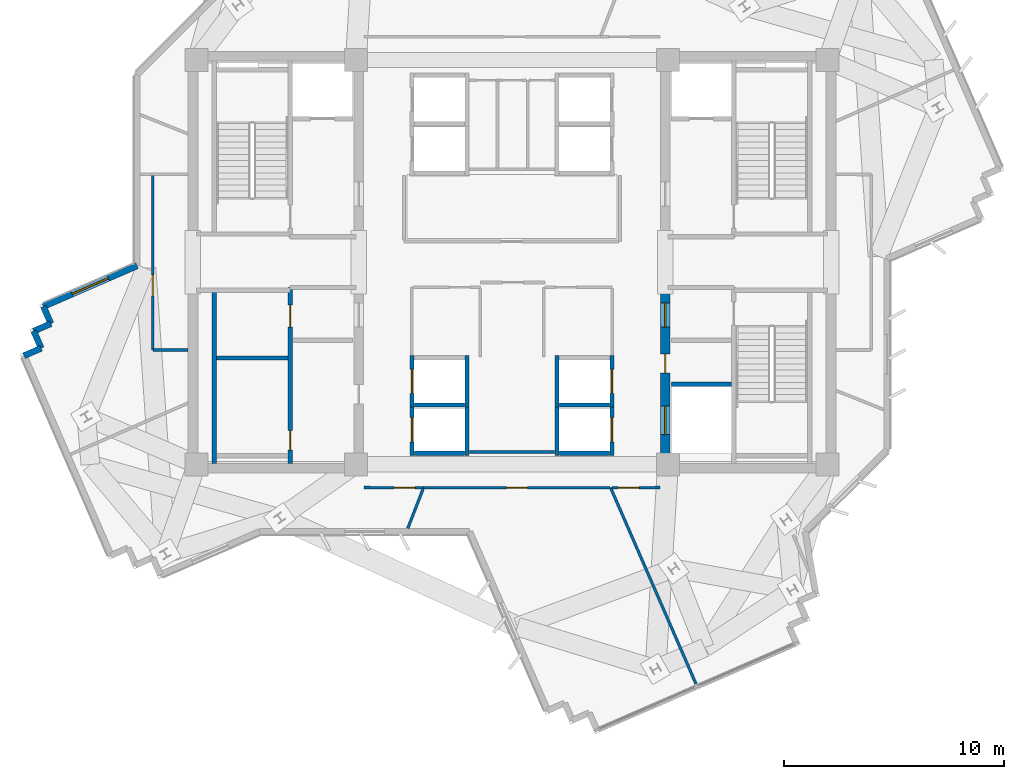
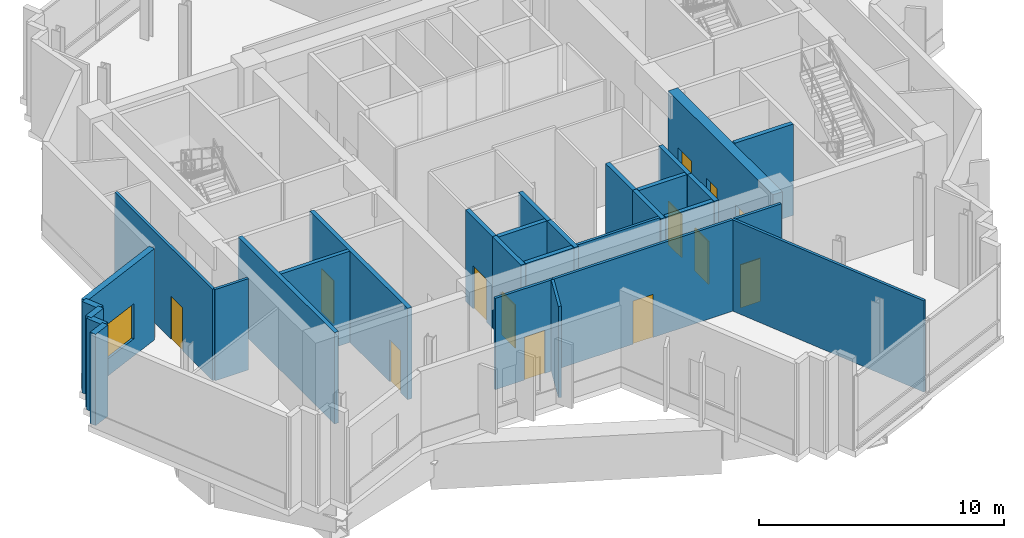
# One storey, part 5 of 11: 30 walls, 13 doors, 1 window, 14 openings.
"""IFC4 building model written with IfcOpenShell, lengths in metres."""

from ifc_helpers import new_model, si_unit, direction, frame, frame_2d, origin, place, context, subcontext, project, spatial, rectangle, extrude, source, transform, mapped, material, layer, layer_set, type_object, element, fill, save


model = new_model("IFC4")

# Units and contexts
model_context = context("Model", 3, precision=1e-05, world=origin(), true_north=direction((0.0, 1.0)))
body_context = subcontext(model_context, "Body", "Model", "MODEL_VIEW")
ifc_project = project(units=[si_unit("LENGTHUNIT", "METRE"), si_unit("AREAUNIT", "SQUARE_METRE"), si_unit("VOLUMEUNIT", "CUBIC_METRE"), si_unit("PLANEANGLEUNIT", "RADIAN"), si_unit("MASSUNIT", "GRAM", prefix="KILO")], contexts=[model_context])

# Site, building, storey
site_placement = place(None, origin())
site = spatial("IfcSite", under=ifc_project, at=site_placement, CompositionType="ELEMENT")
building_placement = place(site_placement, origin())
building = spatial("IfcBuilding", under=site, at=building_placement, Name="Zahravan Cultural Tower", CompositionType="ELEMENT")
storey_placement = place(building_placement, frame((0.0, 0.0, 234.300048828125)))
storey = spatial("IfcBuildingStorey", under=building, at=storey_placement, Name="L55", CompositionType="ELEMENT", Elevation=234.300048828125)

# Wall, openings, doors
ifc_material_1 = material(Name="Concrete C50/60", Category="concrete")
ifc_layer_1 = layer(ifc_material_1, 0.449951171875)
ifc_layer_set_1 = layer_set([ifc_layer_1], Name="Concrete C50/60")
wall_type_1 = type_object("IfcWallType", Name="CW-SHEAR-450-C50", PredefinedType="SHEAR", material=ifc_layer_set_1)
wall_1_placement = place(storey_placement, frame((42.97509765625, 17.39990234375, 0.0), z_axis=(0.0, 0.0, 1.0), x_axis=(0.0, 1.0, 0.0)))
wall_1 = element("IfcWall", 1, at=wall_1_placement, inside=storey, type_object=wall_type_1, Name="L55 Core Shear Wall CW-E-WS-L55", PredefinedType="SHEAR", context=body_context, shape_type="SweptSolid", body=[
    extrude(rectangle(XDim=8.550048828125, YDim=0.449951171875, at=frame_2d((4.27490234375, 0.0))), origin(), (0.0, 0.0, 1.0), 4.550048828125),
])
opening_1_placement = place(wall_1_placement, frame((6.64990234375, 0.0, 0.0)))
opening_1 = element("IfcOpeningElement", 2, at=opening_1_placement, cuts=wall_1, Name="Opening D-L55-09", PredefinedType="OPENING", context=body_context, shape_type="SweptSolid", body=[
    extrude(rectangle(XDim=1.10009765625, YDim=2.199951171875, at=frame_2d((0.550048828125, 1.10009765625))), frame((0.0, 0.23486328125, 0.0), z_axis=(0.0, -1.0, 0.0), x_axis=(1.0, 0.0, 0.0)), (0.0, 0.0, 1.0), 0.469970703125),
])
opening_2_placement = place(wall_1_placement, frame((1.75, 0.0, 0.0)))
opening_2 = element("IfcOpeningElement", 3, at=opening_2_placement, cuts=wall_1, Name="Opening LD-L55-03", PredefinedType="OPENING", context=body_context, shape_type="SweptSolid", body=[
    extrude(rectangle(XDim=1.300048828125, YDim=2.199951171875, at=frame_2d((0.64990234375, 1.10009765625))), frame((0.0, 0.23486328125, 0.0), z_axis=(0.0, -1.0, 0.0), x_axis=(1.0, 0.0, 0.0)), (0.0, 0.0, 1.0), 0.469970703125),
])
opening_3_placement = place(wall_1_placement, frame((4.550048828125, 0.0, 0.0)))
opening_3 = element("IfcOpeningElement", 4, at=opening_3_placement, cuts=wall_1, Name="Opening D-L55-11", PredefinedType="OPENING", context=body_context, shape_type="SweptSolid", body=[
    extrude(rectangle(XDim=0.8798828125, YDim=2.10009765625, at=frame_2d((0.43994140625, 1.050048828125))), frame((0.0, 0.23486328125, 0.0), z_axis=(0.0, -1.0, 0.0), x_axis=(1.0, 0.0, 0.0)), (0.0, 0.0, 1.0), 0.469970703125),
])
ifc_material_2 = material(Name="Steel ASTM A572 Grade 50", Category="steel")
door_type_1 = type_object("IfcDoorType", Name="DR-LOBBY-1100", OperationType="NOTDEFINED", PredefinedType="DOOR", material=ifc_material_2)
shared_shape_1 = source(origin(), body_context, "Body", "SweptSolid", [
    extrude(rectangle(XDim=1.10009765625, YDim=2.199951171875, at=frame_2d((0.550048828125, 1.10009765625))), frame((0.0, 0.02490234375, 0.0), z_axis=(0.0, -1.0, 0.0), x_axis=(1.0, 0.0, 0.0)), (0.0, 0.0, 1.0), 0.050048828125),
])
door_1_placement = place(opening_1_placement, origin())
door_1 = element("IfcDoor", 5, at=door_1_placement, inside=storey, type_object=door_type_1, Name="L55 Door D-L55-09", OperationType="SINGLE_SWING_LEFT", OverallHeight=2.199951171875, OverallWidth=1.10009765625, PredefinedType="DOOR", context=body_context, shape_type="MappedRepresentation", body=[
    mapped(shared_shape_1, transform((0.0, 0.0, 0.0), x_axis=(1.0, 0.0, 0.0), y_axis=(0.0, 1.0, 0.0), z_axis=(0.0, 0.0, 1.0), scale=1.0)),
])
fill(opening_1, door_1)
door_type_2 = type_object("IfcDoorType", Name="DR-LIFT-1300", OperationType="DOUBLE_DOOR_SLIDING", PredefinedType="DOOR", material=ifc_material_2)
shared_shape_2 = source(origin(), body_context, "Body", "SweptSolid", [
    extrude(rectangle(XDim=1.300048828125, YDim=2.199951171875, at=frame_2d((0.64990234375, 1.10009765625))), frame((0.0, 0.02490234375, 0.0), z_axis=(0.0, -1.0, 0.0), x_axis=(1.0, 0.0, 0.0)), (0.0, 0.0, 1.0), 0.050048828125),
])
door_2_placement = place(opening_2_placement, origin())
door_2 = element("IfcDoor", 6, at=door_2_placement, inside=storey, type_object=door_type_2, Name="L55 Door LD-L55-03", OperationType="DOUBLE_DOOR_SLIDING", OverallHeight=2.199951171875, OverallWidth=1.300048828125, PredefinedType="DOOR", context=body_context, shape_type="MappedRepresentation", body=[
    mapped(shared_shape_2, transform((0.0, 0.0, 0.0), x_axis=(1.0, 0.0, 0.0), y_axis=(0.0, 1.0, 0.0), z_axis=(0.0, 0.0, 1.0), scale=1.0)),
])
fill(opening_2, door_2)
door_type_3 = type_object("IfcDoorType", Name="DR-SVC-880", OperationType="NOTDEFINED", PredefinedType="DOOR", material=ifc_material_2)
shared_shape_3 = source(origin(), body_context, "Body", "SweptSolid", [
    extrude(rectangle(XDim=0.8798828125, YDim=2.10009765625, at=frame_2d((0.43994140625, 1.050048828125))), frame((0.0, 0.02490234375, 0.0), z_axis=(0.0, -1.0, 0.0), x_axis=(1.0, 0.0, 0.0)), (0.0, 0.0, 1.0), 0.050048828125),
])
door_3_placement = place(opening_3_placement, origin())
door_3 = element("IfcDoor", 7, at=door_3_placement, inside=storey, type_object=door_type_3, Name="L55 Door D-L55-11", OperationType="SINGLE_SWING_LEFT", OverallHeight=2.10009765625, OverallWidth=0.8798828125, PredefinedType="DOOR", context=body_context, shape_type="MappedRepresentation", body=[
    mapped(shared_shape_3, transform((0.0, 0.0, 0.0), x_axis=(1.0, 0.0, 0.0), y_axis=(0.0, 1.0, 0.0), z_axis=(0.0, 0.0, 1.0), scale=1.0)),
])
fill(opening_3, door_3)

# Wall, opening, window
ifc_material_3 = material(Name="Precast concrete C40/50", Category="concrete")
ifc_layer_2 = layer(ifc_material_3, 0.280029296875)
ifc_layer_set_2 = layer_set([ifc_layer_2], Name="Precast concrete C40/50")
wall_type_2 = type_object("IfcWallType", Name="EW-TC-280", PredefinedType="SOLIDWALL", material=ifc_layer_set_2)
wall_2_placement = place(storey_placement, frame((14.673583984375, 24.98291015625, 0.0), z_axis=(0.0, 0.0, 1.0), x_axis=(0.916951557096, 0.398998548793, 0.0)))
wall_2 = element("IfcWall", 8, at=wall_2_placement, inside=storey, type_object=wall_type_2, Name="L55 Exterior Masonry Frame Wall 35", PredefinedType="SOLIDWALL", context=body_context, shape_type="SweptSolid", body=[
    extrude(rectangle(XDim=4.65283203125, YDim=0.280029296875, at=frame_2d((2.326416015625, 0.0))), origin(), (0.0, 0.0, 1.0), 4.550048828125),
])
opening_4_placement = place(wall_2_placement, frame((1.426025390625, 0.0, 0.85009765625)))
opening_4 = element("IfcOpeningElement", 9, at=opening_4_placement, cuts=wall_2, Name="Opening WN-02", PredefinedType="OPENING", context=body_context, shape_type="SweptSolid", body=[
    extrude(rectangle(XDim=1.800048828125, YDim=1.75, at=frame_2d((0.89990234375, 0.875))), frame((0.0, 0.14990234375, 0.0), z_axis=(0.0, -1.0, 0.0), x_axis=(1.0, 0.0, 0.0)), (0.0, 0.0, 1.0), 0.300048828125),
])
ifc_material_4 = material(Name="Low-E solar-control double glazing", Category="glass")
window_type = type_object("IfcWindowType", Name="WN-REC-1800X1750", PartitioningType="DOUBLE_PANEL_VERTICAL", PredefinedType="WINDOW", material=ifc_material_4)
shared_shape_4 = source(origin(), body_context, "Body", "SweptSolid", [
    extrude(rectangle(XDim=1.800048828125, YDim=1.75, at=frame_2d((0.89990234375, 0.875))), frame((0.0, 0.030029296875, 0.0), z_axis=(0.0, -1.0, 0.0), x_axis=(1.0, 0.0, 0.0)), (0.0, 0.0, 1.0), 0.06005859375),
])
window_placement = place(opening_4_placement, origin())
window = element("IfcWindow", 10, at=window_placement, inside=storey, type_object=window_type, Name="L55 Recessed Solar Window 08", OverallHeight=1.75, OverallWidth=1.800048828125, PartitioningType="DOUBLE_PANEL_VERTICAL", PredefinedType="WINDOW", context=body_context, shape_type="MappedRepresentation", body=[
    mapped(shared_shape_4, transform((0.0, 0.0, 0.0), x_axis=(1.0, 0.0, 0.0), y_axis=(0.0, 1.0, 0.0), z_axis=(0.0, 0.0, 1.0), scale=1.0)),
])
fill(opening_4, window)

# Wall, opening, door
ifc_material_5 = material(Name="Gypsum plasterboard partition")
ifc_layer_3 = layer(ifc_material_5, 0.125)
ifc_layer_set_3 = layer_set([ifc_layer_3], Name="Gypsum plasterboard partition")
wall_type_3 = type_object("IfcWallType", Name="W-PART-125", PredefinedType="PARTITIONING", material=ifc_layer_set_3)
wall_3_placement = place(storey_placement, frame((19.65087890625, 30.9990234375, 0.0), z_axis=(0.0, 0.0, 1.0), x_axis=(3.0539946e-05, -0.999999999534, 0.0)))
wall_3 = element("IfcWall", 11, at=wall_3_placement, inside=storey, type_object=wall_type_3, Name="L55 Interior Wall 079", PredefinedType="PARTITIONING", context=body_context, shape_type="SweptSolid", body=[
    extrude(rectangle(XDim=7.994140625, YDim=0.125, at=frame_2d((3.9970703125, 0.0))), origin(), (0.0, 0.0, 1.0), 4.550048828125),
])
opening_5_placement = place(wall_3_placement, frame((4.57861328125, 0.0, 0.0)))
opening_5 = element("IfcOpeningElement", 12, at=opening_5_placement, cuts=wall_3, Name="Opening D-L55-21", PredefinedType="OPENING", context=body_context, shape_type="SweptSolid", body=[
    extrude(rectangle(XDim=0.949951171875, YDim=2.14990234375, at=frame_2d((0.47509765625, 1.074951171875))), frame((0.0, 0.072509765625, 0.0), z_axis=(0.0, -1.0, 0.0), x_axis=(1.0, 0.0, 0.0)), (0.0, 0.0, 1.0), 0.14501953125),
])
ifc_material_6 = material(Name="Anodised bronze-aluminium mullion", Category="aluminium")
door_type_4 = type_object("IfcDoorType", Name="DR-ROOM-950", OperationType="NOTDEFINED", PredefinedType="DOOR", material=ifc_material_6)
shared_shape_5 = source(origin(), body_context, "Body", "SweptSolid", [
    extrude(rectangle(XDim=0.949951171875, YDim=2.14990234375, at=frame_2d((0.47509765625, 1.074951171875))), frame((0.0, 0.02490234375, 0.0), z_axis=(0.0, -1.0, 0.0), x_axis=(1.0, 0.0, 0.0)), (0.0, 0.0, 1.0), 0.050048828125),
])
door_4_placement = place(opening_5_placement, origin())
door_4 = element("IfcDoor", 13, at=door_4_placement, inside=storey, type_object=door_type_4, Name="L55 Door D-L55-21", OperationType="SINGLE_SWING_LEFT", OverallHeight=2.14990234375, OverallWidth=0.949951171875, PredefinedType="DOOR", context=body_context, shape_type="MappedRepresentation", body=[
    mapped(shared_shape_5, transform((0.0, 0.0, 0.0), x_axis=(1.0, 0.0, 0.0), y_axis=(0.0, 1.0, 0.0), z_axis=(0.0, 0.0, 1.0), scale=1.0)),
])
fill(opening_5, door_4)

wall_4_placement = place(storey_placement, frame((29.25341796875, 16.7412109375, 0.0), z_axis=(0.0, 0.0, 1.0), x_axis=(0.999999899509, -0.000448309827, 0.0)))
wall_4 = element("IfcWall", 14, at=wall_4_placement, inside=storey, type_object=wall_type_3, Name="L55 Interior Wall 086", PredefinedType="PARTITIONING", context=body_context, shape_type="SweptSolid", body=[
    extrude(rectangle(XDim=2.722900390625, YDim=0.125, at=frame_2d((1.361328125, 0.0))), origin(), (0.0, 0.0, 1.0), 4.550048828125),
])
opening_6_placement = place(wall_4_placement, frame((1.383056640625, 0.0, 0.0)))
opening_6 = element("IfcOpeningElement", 15, at=opening_6_placement, cuts=wall_4, Name="Opening D-L55-22", PredefinedType="OPENING", context=body_context, shape_type="SweptSolid", body=[
    extrude(rectangle(XDim=0.949951171875, YDim=2.14990234375, at=frame_2d((0.47509765625, 1.074951171875))), frame((0.0, 0.072509765625, 0.0), z_axis=(0.0, -1.0, 0.0), x_axis=(1.0, 0.0, 0.0)), (0.0, 0.0, 1.0), 0.14501953125),
])
door_5_placement = place(opening_6_placement, origin())
door_5 = element("IfcDoor", 16, at=door_5_placement, inside=storey, type_object=door_type_4, Name="L55 Door D-L55-22", OperationType="SINGLE_SWING_RIGHT", OverallHeight=2.14990234375, OverallWidth=0.949951171875, PredefinedType="DOOR", context=body_context, shape_type="MappedRepresentation", body=[
    mapped(shared_shape_5, transform((0.0, 0.0, 0.0), x_axis=(1.0, 0.0, 0.0), y_axis=(0.0, 1.0, 0.0), z_axis=(0.0, 0.0, 1.0), scale=1.0)),
])
fill(opening_6, door_5)

wall_5_placement = place(storey_placement, frame((40.560302734375, 16.739990234375, 0.0), z_axis=(0.0, 0.0, 1.0), x_axis=(0.999999844124, 0.000558347205, 0.0)))
wall_5 = element("IfcWall", 17, at=wall_5_placement, inside=storey, type_object=wall_type_3, Name="L55 Interior Wall 089", PredefinedType="PARTITIONING", context=body_context, shape_type="SweptSolid", body=[
    extrude(rectangle(XDim=2.186279296875, YDim=0.125, at=frame_2d((1.09326171875, 0.0))), origin(), (0.0, 0.0, 1.0), 4.550048828125),
])
opening_7_placement = place(wall_5_placement, frame((0.27197265625, 0.0, 0.0)))
opening_7 = element("IfcOpeningElement", 18, at=opening_7_placement, cuts=wall_5, Name="Opening D-L55-25", PredefinedType="OPENING", context=body_context, shape_type="SweptSolid", body=[
    extrude(rectangle(XDim=0.949951171875, YDim=2.14990234375, at=frame_2d((0.47509765625, 1.074951171875))), frame((0.0, 0.072509765625, 0.0), z_axis=(0.0, -1.0, 0.0), x_axis=(1.0, 0.0, 0.0)), (0.0, 0.0, 1.0), 0.14501953125),
])
door_6_placement = place(opening_7_placement, origin())
door_6 = element("IfcDoor", 19, at=door_6_placement, inside=storey, type_object=door_type_4, Name="L55 Door D-L55-25", OperationType="SINGLE_SWING_LEFT", OverallHeight=2.14990234375, OverallWidth=0.949951171875, PredefinedType="DOOR", context=body_context, shape_type="MappedRepresentation", body=[
    mapped(shared_shape_5, transform((0.0, 0.0, 0.0), x_axis=(1.0, 0.0, 0.0), y_axis=(0.0, 1.0, 0.0), z_axis=(0.0, 0.0, 1.0), scale=1.0)),
])
fill(opening_7, door_6)

wall_6_placement = place(storey_placement, frame((31.976318359375, 16.739990234375, 0.0), z_axis=(0.0, 0.0, 1.0), x_axis=(1.0, 0.0, 0.0)))
wall_6 = element("IfcWall", 20, at=wall_6_placement, inside=storey, type_object=wall_type_3, Name="L55 Interior Wall 091", PredefinedType="PARTITIONING", context=body_context, shape_type="SweptSolid", body=[
    extrude(rectangle(XDim=8.48828125, YDim=0.125, at=frame_2d((4.244140625, 0.0))), origin(), (0.0, 0.0, 1.0), 4.550048828125),
])
opening_8_placement = place(wall_6_placement, frame((3.76904296875, 0.0, 0.0)))
opening_8 = element("IfcOpeningElement", 21, at=opening_8_placement, cuts=wall_6, Name="Opening D-L55-24", PredefinedType="OPENING", context=body_context, shape_type="SweptSolid", body=[
    extrude(rectangle(XDim=0.949951171875, YDim=2.14990234375, at=frame_2d((0.47509765625, 1.074951171875))), frame((0.0, 0.072509765625, 0.0), z_axis=(0.0, -1.0, 0.0), x_axis=(1.0, 0.0, 0.0)), (0.0, 0.0, 1.0), 0.14501953125),
])
door_7_placement = place(opening_8_placement, origin())
door_7 = element("IfcDoor", 22, at=door_7_placement, inside=storey, type_object=door_type_4, Name="L55 Door D-L55-24", OperationType="SINGLE_SWING_RIGHT", OverallHeight=2.14990234375, OverallWidth=0.949951171875, PredefinedType="DOOR", context=body_context, shape_type="MappedRepresentation", body=[
    mapped(shared_shape_5, transform((0.0, 0.0, 0.0), x_axis=(1.0, 0.0, 0.0), y_axis=(0.0, 1.0, 0.0), z_axis=(0.0, 0.0, 1.0), scale=1.0)),
])
fill(opening_8, door_7)

# Wall, openings, doors
ifc_material_7 = material(Name="Concrete C45/55", Category="concrete")
ifc_layer_4 = layer(ifc_material_7, 0.199951171875)
ifc_layer_set_4 = layer_set([ifc_layer_4], Name="Concrete C45/55")
wall_type_4 = type_object("IfcWallType", Name="W-SHAFT-200", PredefinedType="SOLIDWALL", material=ifc_layer_set_4)
wall_7_placement = place(storey_placement, frame((25.89990234375, 17.85009765625, 0.0), z_axis=(0.0, 0.0, 1.0), x_axis=(0.0, 1.0, 0.0)))
wall_7 = element("IfcWall", 23, at=wall_7_placement, inside=storey, type_object=wall_type_4, Name="L55 Interior Wall 005", PredefinedType="SOLIDWALL", context=body_context, shape_type="SweptSolid", body=[
    extrude(rectangle(XDim=8.0, YDim=0.199951171875, at=frame_2d((4.0, 0.0))), origin(), (0.0, 0.0, 1.0), 4.550048828125),
])
opening_9_placement = place(wall_7_placement, frame((6.199951171875, 0.0, 0.0)))
opening_9 = element("IfcOpeningElement", 24, at=opening_9_placement, cuts=wall_7, Name="Opening D-L55-04", PredefinedType="OPENING", context=body_context, shape_type="SweptSolid", body=[
    extrude(rectangle(XDim=1.0, YDim=2.14990234375, at=frame_2d((0.5, 1.074951171875))), frame((0.0, 0.10986328125, 0.0), z_axis=(0.0, -1.0, 0.0), x_axis=(1.0, 0.0, 0.0)), (0.0, 0.0, 1.0), 0.219970703125),
])
opening_10_placement = place(wall_7_placement, frame((0.60009765625, 0.0, 0.0)))
opening_10 = element("IfcOpeningElement", 25, at=opening_10_placement, cuts=wall_7, Name="Opening D-L55-05", PredefinedType="OPENING", context=body_context, shape_type="SweptSolid", body=[
    extrude(rectangle(XDim=0.8798828125, YDim=2.10009765625, at=frame_2d((0.43994140625, 1.050048828125))), frame((0.0, 0.10986328125, 0.0), z_axis=(0.0, -1.0, 0.0), x_axis=(1.0, 0.0, 0.0)), (0.0, 0.0, 1.0), 0.219970703125),
])
door_8_placement = place(opening_10_placement, origin())
door_8 = element("IfcDoor", 26, at=door_8_placement, inside=storey, type_object=door_type_3, Name="L55 Door D-L55-05", OperationType="SINGLE_SWING_LEFT", OverallHeight=2.10009765625, OverallWidth=0.8798828125, PredefinedType="DOOR", context=body_context, shape_type="MappedRepresentation", body=[
    mapped(shared_shape_3, transform((0.0, 0.0, 0.0), x_axis=(1.0, 0.0, 0.0), y_axis=(0.0, 1.0, 0.0), z_axis=(0.0, 0.0, 1.0), scale=1.0)),
])
fill(opening_10, door_8)
door_type_5 = type_object("IfcDoorType", Name="DR-COMP-1000", OperationType="NOTDEFINED", PredefinedType="DOOR", material=ifc_material_2)
shared_shape_6 = source(origin(), body_context, "Body", "SweptSolid", [
    extrude(rectangle(XDim=1.0, YDim=2.14990234375, at=frame_2d((0.5, 1.074951171875))), frame((0.0, 0.02490234375, 0.0), z_axis=(0.0, -1.0, 0.0), x_axis=(1.0, 0.0, 0.0)), (0.0, 0.0, 1.0), 0.050048828125),
])
door_9_placement = place(opening_9_placement, origin())
door_9 = element("IfcDoor", 27, at=door_9_placement, inside=storey, type_object=door_type_5, Name="L55 Door D-L55-04", OperationType="SINGLE_SWING_RIGHT", OverallHeight=2.14990234375, OverallWidth=1.0, PredefinedType="DOOR", context=body_context, shape_type="MappedRepresentation", body=[
    mapped(shared_shape_6, transform((0.0, 0.0, 0.0), x_axis=(1.0, 0.0, 0.0), y_axis=(0.0, 1.0, 0.0), z_axis=(0.0, 0.0, 1.0), scale=1.0)),
])
fill(opening_9, door_9)

# Wall, opening, door
wall_8_placement = place(storey_placement, frame((31.449951171875, 20.39990234375, 0.0), z_axis=(0.0, 0.0, 1.0), x_axis=(0.0, 1.0, 0.0)))
wall_8 = element("IfcWall", 28, at=wall_8_placement, inside=storey, type_object=wall_type_4, Name="L55 Interior Wall 041", PredefinedType="SOLIDWALL", context=body_context, shape_type="SweptSolid", body=[
    extrude(rectangle(XDim=2.35009765625, YDim=0.199951171875, at=frame_2d((1.175048828125, 0.0))), origin(), (0.0, 0.0, 1.0), 4.550048828125),
])
opening_11_placement = place(wall_8_placement, frame((0.625, 0.0, 0.0)))
opening_11 = element("IfcOpeningElement", 29, at=opening_11_placement, cuts=wall_8, Name="Opening LD-L55-08", PredefinedType="OPENING", context=body_context, shape_type="SweptSolid", body=[
    extrude(rectangle(XDim=1.10009765625, YDim=2.14990234375, at=frame_2d((0.550048828125, 1.074951171875))), frame((0.0, 0.10986328125, 0.0), z_axis=(0.0, -1.0, 0.0), x_axis=(1.0, 0.0, 0.0)), (0.0, 0.0, 1.0), 0.219970703125),
])
door_type_6 = type_object("IfcDoorType", Name="DR-LIFT-1100", OperationType="DOUBLE_DOOR_SLIDING", PredefinedType="DOOR", material=ifc_material_2)
shared_shape_7 = source(origin(), body_context, "Body", "SweptSolid", [
    extrude(rectangle(XDim=1.10009765625, YDim=2.14990234375, at=frame_2d((0.550048828125, 1.074951171875))), frame((0.0, 0.02490234375, 0.0), z_axis=(0.0, -1.0, 0.0), x_axis=(1.0, 0.0, 0.0)), (0.0, 0.0, 1.0), 0.050048828125),
])
door_10_placement = place(opening_11_placement, origin())
door_10 = element("IfcDoor", 30, at=door_10_placement, inside=storey, type_object=door_type_6, Name="L55 Door LD-L55-08", OperationType="DOUBLE_DOOR_SLIDING", OverallHeight=2.14990234375, OverallWidth=1.10009765625, PredefinedType="DOOR", context=body_context, shape_type="MappedRepresentation", body=[
    mapped(shared_shape_7, transform((0.0, 0.0, 0.0), x_axis=(1.0, 0.0, 0.0), y_axis=(0.0, 1.0, 0.0), z_axis=(0.0, 0.0, 1.0), scale=1.0)),
])
fill(opening_11, door_10)

wall_9_placement = place(storey_placement, frame((31.449951171875, 18.199951171875, 0.0), z_axis=(0.0, 0.0, 1.0), x_axis=(0.0, 1.0, 0.0)))
wall_9 = element("IfcWall", 31, at=wall_9_placement, inside=storey, type_object=wall_type_4, Name="L55 Interior Wall 045", PredefinedType="SOLIDWALL", context=body_context, shape_type="SweptSolid", body=[
    extrude(rectangle(XDim=2.35009765625, YDim=0.199951171875, at=frame_2d((1.175048828125, 0.0))), origin(), (0.0, 0.0, 1.0), 4.550048828125),
])
opening_12_placement = place(wall_9_placement, frame((0.625, 0.0, 0.0)))
opening_12 = element("IfcOpeningElement", 32, at=opening_12_placement, cuts=wall_9, Name="Opening LD-L55-09", PredefinedType="OPENING", context=body_context, shape_type="SweptSolid", body=[
    extrude(rectangle(XDim=1.10009765625, YDim=2.14990234375, at=frame_2d((0.550048828125, 1.074951171875))), frame((0.0, 0.10986328125, 0.0), z_axis=(0.0, -1.0, 0.0), x_axis=(1.0, 0.0, 0.0)), (0.0, 0.0, 1.0), 0.219970703125),
])
door_11_placement = place(opening_12_placement, origin())
door_11 = element("IfcDoor", 33, at=door_11_placement, inside=storey, type_object=door_type_6, Name="L55 Door LD-L55-09", OperationType="DOUBLE_DOOR_SLIDING", OverallHeight=2.14990234375, OverallWidth=1.10009765625, PredefinedType="DOOR", context=body_context, shape_type="MappedRepresentation", body=[
    mapped(shared_shape_7, transform((0.0, 0.0, 0.0), x_axis=(1.0, 0.0, 0.0), y_axis=(0.0, 1.0, 0.0), z_axis=(0.0, 0.0, 1.0), scale=1.0)),
])
fill(opening_12, door_11)

wall_10_placement = place(storey_placement, frame((40.550048828125, 20.39990234375, 0.0), z_axis=(0.0, 0.0, 1.0), x_axis=(0.0, 1.0, 0.0)))
wall_10 = element("IfcWall", 34, at=wall_10_placement, inside=storey, type_object=wall_type_4, Name="L55 Interior Wall 049", PredefinedType="SOLIDWALL", context=body_context, shape_type="SweptSolid", body=[
    extrude(rectangle(XDim=2.35009765625, YDim=0.199951171875, at=frame_2d((1.175048828125, 0.0))), origin(), (0.0, 0.0, 1.0), 4.550048828125),
])
opening_13_placement = place(wall_10_placement, frame((0.625, 0.0, 0.0)))
opening_13 = element("IfcOpeningElement", 35, at=opening_13_placement, cuts=wall_10, Name="Opening LD-L55-10", PredefinedType="OPENING", context=body_context, shape_type="SweptSolid", body=[
    extrude(rectangle(XDim=1.10009765625, YDim=2.14990234375, at=frame_2d((0.550048828125, 1.074951171875))), frame((0.0, 0.10986328125, 0.0), z_axis=(0.0, -1.0, 0.0), x_axis=(1.0, 0.0, 0.0)), (0.0, 0.0, 1.0), 0.219970703125),
])
door_12_placement = place(opening_13_placement, origin())
door_12 = element("IfcDoor", 36, at=door_12_placement, inside=storey, type_object=door_type_6, Name="L55 Door LD-L55-10", OperationType="DOUBLE_DOOR_SLIDING", OverallHeight=2.14990234375, OverallWidth=1.10009765625, PredefinedType="DOOR", context=body_context, shape_type="MappedRepresentation", body=[
    mapped(shared_shape_7, transform((0.0, 0.0, 0.0), x_axis=(1.0, 0.0, 0.0), y_axis=(0.0, 1.0, 0.0), z_axis=(0.0, 0.0, 1.0), scale=1.0)),
])
fill(opening_13, door_12)

wall_11_placement = place(storey_placement, frame((40.550048828125, 18.199951171875, 0.0), z_axis=(0.0, 0.0, 1.0), x_axis=(0.0, 1.0, 0.0)))
wall_11 = element("IfcWall", 37, at=wall_11_placement, inside=storey, type_object=wall_type_4, Name="L55 Interior Wall 053", PredefinedType="SOLIDWALL", context=body_context, shape_type="SweptSolid", body=[
    extrude(rectangle(XDim=2.35009765625, YDim=0.199951171875, at=frame_2d((1.175048828125, 0.0))), origin(), (0.0, 0.0, 1.0), 4.550048828125),
])
opening_14_placement = place(wall_11_placement, frame((0.625, 0.0, 0.0)))
opening_14 = element("IfcOpeningElement", 38, at=opening_14_placement, cuts=wall_11, Name="Opening LD-L55-11", PredefinedType="OPENING", context=body_context, shape_type="SweptSolid", body=[
    extrude(rectangle(XDim=1.10009765625, YDim=2.14990234375, at=frame_2d((0.550048828125, 1.074951171875))), frame((0.0, 0.10986328125, 0.0), z_axis=(0.0, -1.0, 0.0), x_axis=(1.0, 0.0, 0.0)), (0.0, 0.0, 1.0), 0.219970703125),
])
door_13_placement = place(opening_14_placement, origin())
door_13 = element("IfcDoor", 39, at=door_13_placement, inside=storey, type_object=door_type_6, Name="L55 Door LD-L55-11", OperationType="DOUBLE_DOOR_SLIDING", OverallHeight=2.14990234375, OverallWidth=1.10009765625, PredefinedType="DOOR", context=body_context, shape_type="MappedRepresentation", body=[
    mapped(shared_shape_7, transform((0.0, 0.0, 0.0), x_axis=(1.0, 0.0, 0.0), y_axis=(0.0, 1.0, 0.0), z_axis=(0.0, 0.0, 1.0), scale=1.0)),
])
fill(opening_14, door_13)

# Walls
shared_shape_8 = source(origin(), body_context, "Body", "SweptSolid", [
    extrude(rectangle(XDim=0.85009765625, YDim=0.280029296875, at=frame_2d((0.425048828125, 0.0))), origin(), (0.0, 0.0, 1.0), 4.550048828125),
])
wall_12_placement = place(storey_placement, frame((14.2333984375, 23.8642578125, 0.0), z_axis=(0.0, 0.0, 1.0), x_axis=(0.916841582309, 0.399251190291, 0.0)))
element("IfcWall", 40, at=wall_12_placement, inside=storey, type_object=wall_type_2, Name="L55 Exterior Masonry Frame Wall 33", PredefinedType="SOLIDWALL", context=body_context, shape_type="MappedRepresentation", body=[
    mapped(shared_shape_8, transform((0.0, 0.0, 0.0), x_axis=(1.0, 0.0, 0.0), y_axis=(0.0, 1.0, 0.0), z_axis=(0.0, 0.0, 1.0), scale=1.0)),
])
shared_shape_9 = source(origin(), body_context, "Body", "SweptSolid", [
    extrude(rectangle(XDim=0.849853515625, YDim=0.280029296875, at=frame_2d((0.4248046875, 0.0))), origin(), (0.0, 0.0, 1.0), 4.550048828125),
])
for number, where, z_axis, x_axis, name in (
    (41, (13.793212890625, 22.745849609375, 0.0), (0.0, 0.0, 1.0), (0.916946703526, 0.399009702756, 0.0), "L55 Exterior Masonry Frame Wall 31"),
    (42, (14.572509765625, 23.0849609375, 0.0), (0.0, 0.0, 1.0), (-0.399009702756, 0.916946703526, 0.0), "L55 Exterior Masonry Frame Wall 32"),
    (43, (15.0126953125, 24.20361328125, 0.0), (0.0, 0.0, 1.0), (-0.399009702756, 0.916946703526, 0.0), "L55 Exterior Masonry Frame Wall 34"),
):
    element("IfcWall", number, at=place(storey_placement, frame(where, z_axis=z_axis, x_axis=x_axis)), inside=storey, type_object=wall_type_2, Name=name, PredefinedType="SOLIDWALL", context=body_context, shape_type="MappedRepresentation", body=[
        mapped(shared_shape_9, transform((0.0, 0.0, 0.0), x_axis=(1.0, 0.0, 0.0), y_axis=(0.0, 1.0, 0.0), z_axis=(0.0, 0.0, 1.0), scale=1.0)),
    ])
shared_shape_10 = source(origin(), body_context, "Body", "SweptSolid", [
    extrude(rectangle(XDim=7.869873046875, YDim=0.199951171875, at=frame_2d((3.93505859375, 0.0))), origin(), (0.0, 0.0, 1.0), 4.550048828125),
])
wall_13_placement = place(storey_placement, frame((22.449951171875, 17.85009765625, 0.0), z_axis=(0.0, 0.0, 1.0), x_axis=(0.0, 1.0, 0.0)))
element("IfcWall", 44, at=wall_13_placement, inside=storey, type_object=wall_type_4, Name="L55 Interior Wall 001", PredefinedType="SOLIDWALL", context=body_context, shape_type="MappedRepresentation", body=[
    mapped(shared_shape_10, transform((0.0, 0.0, 0.0), x_axis=(1.0, 0.0, 0.0), y_axis=(0.0, 1.0, 0.0), z_axis=(0.0, 0.0, 1.0), scale=1.0)),
])
ifc_layer_5 = layer(ifc_material_5, 0.179931640625)
ifc_layer_set_5 = layer_set([ifc_layer_5], Name="Gypsum plasterboard partition")
wall_type_5 = type_object("IfcWallType", Name="W-COMP-180", PredefinedType="PARTITIONING", material=ifc_layer_set_5)
shared_shape_11 = source(origin(), body_context, "Body", "SweptSolid", [
    extrude(rectangle(XDim=3.25, YDim=0.179931640625, at=frame_2d((1.625, 0.0))), origin(), (0.0, 0.0, 1.0), 4.550048828125),
])
wall_14_placement = place(storey_placement, frame((22.550048828125, 22.64990234375, 0.0), z_axis=(0.0, 0.0, 1.0), x_axis=(1.0, 0.0, 0.0)))
element("IfcWall", 45, at=wall_14_placement, inside=storey, type_object=wall_type_5, Name="L55 Interior Wall 021", PredefinedType="PARTITIONING", context=body_context, shape_type="MappedRepresentation", body=[
    mapped(shared_shape_11, transform((0.0, 0.0, 0.0), x_axis=(1.0, 0.0, 0.0), y_axis=(0.0, 1.0, 0.0), z_axis=(0.0, 0.0, 1.0), scale=1.0)),
])
shared_shape_12 = source(origin(), body_context, "Body", "SweptSolid", [
    extrude(rectangle(XDim=2.75, YDim=0.199951171875, at=frame_2d((1.375, 0.0))), origin(), (0.0, 0.0, 1.0), 4.550048828125),
])
wall_15_placement = place(storey_placement, frame((43.25, 21.449951171875, 0.0), z_axis=(0.0, 0.0, 1.0), x_axis=(1.0, 0.0, 0.0)))
element("IfcWall", 46, at=wall_15_placement, inside=storey, type_object=wall_type_4, Name="L55 Interior Wall 026", PredefinedType="SOLIDWALL", context=body_context, shape_type="MappedRepresentation", body=[
    mapped(shared_shape_12, transform((0.0, 0.0, 0.0), x_axis=(1.0, 0.0, 0.0), y_axis=(0.0, 1.0, 0.0), z_axis=(0.0, 0.0, 1.0), scale=1.0)),
])
shared_shape_13 = source(origin(), body_context, "Body", "SweptSolid", [
    extrude(rectangle(XDim=2.260009765625, YDim=0.199951171875, at=frame_2d((1.1298828125, 0.0))), origin(), (0.0, 0.0, 1.0), 4.550048828125),
])
for number, where, z_axis, x_axis, name in (
    (47, (31.570068359375, 20.5, 0.0), (0.0, 0.0, 1.0), (1.0, 0.0, 0.0), "L55 Interior Wall 043"),
    (48, (31.570068359375, 18.300048828125, 0.0), (0.0, 0.0, 1.0), (1.0, 0.0, 0.0), "L55 Interior Wall 047"),
    (49, (38.169921875, 20.5, 0.0), (0.0, 0.0, 1.0), (1.0, 0.0, 0.0), "L55 Interior Wall 050"),
    (50, (38.169921875, 18.300048828125, 0.0), (0.0, 0.0, 1.0), (1.0, 0.0, 0.0), "L55 Interior Wall 054"),
):
    element("IfcWall", number, at=place(storey_placement, frame(where, z_axis=z_axis, x_axis=x_axis)), inside=storey, type_object=wall_type_4, Name=name, PredefinedType="SOLIDWALL", context=body_context, shape_type="MappedRepresentation", body=[
        mapped(shared_shape_13, transform((0.0, 0.0, 0.0), x_axis=(1.0, 0.0, 0.0), y_axis=(0.0, 1.0, 0.0), z_axis=(0.0, 0.0, 1.0), scale=1.0)),
    ])
shared_shape_14 = source(origin(), body_context, "Body", "SweptSolid", [
    extrude(rectangle(XDim=2.35009765625, YDim=0.199951171875, at=frame_2d((1.175048828125, 0.0))), origin(), (0.0, 0.0, 1.0), 4.550048828125),
])
for number, where, z_axis, x_axis, name in (
    (51, (33.949951171875, 20.39990234375, 0.0), (0.0, 0.0, 1.0), (0.0, 1.0, 0.0), "L55 Interior Wall 042"),
    (52, (33.949951171875, 18.199951171875, 0.0), (0.0, 0.0, 1.0), (0.0, 1.0, 0.0), "L55 Interior Wall 046"),
    (53, (38.050048828125, 20.39990234375, 0.0), (0.0, 0.0, 1.0), (0.0, 1.0, 0.0), "L55 Interior Wall 048"),
    (54, (38.050048828125, 18.199951171875, 0.0), (0.0, 0.0, 1.0), (0.0, 1.0, 0.0), "L55 Interior Wall 052"),
):
    element("IfcWall", number, at=place(storey_placement, frame(where, z_axis=z_axis, x_axis=x_axis)), inside=storey, type_object=wall_type_4, Name=name, PredefinedType="SOLIDWALL", context=body_context, shape_type="MappedRepresentation", body=[
        mapped(shared_shape_14, transform((0.0, 0.0, 0.0), x_axis=(1.0, 0.0, 0.0), y_axis=(0.0, 1.0, 0.0), z_axis=(0.0, 0.0, 1.0), scale=1.0)),
    ])
shared_shape_15 = source(origin(), body_context, "Body", "SweptSolid", [
    extrude(rectangle(XDim=3.89013671875, YDim=0.125, at=frame_2d((1.945068359375, 0.0))), origin(), (0.0, 0.0, 1.0), 4.550048828125),
])
wall_16_placement = place(storey_placement, frame((37.945068359375, 18.360107421875, 0.0), z_axis=(0.0, 0.0, 1.0), x_axis=(-1.0, 0.0, 0.0)))
element("IfcWall", 55, at=wall_16_placement, inside=storey, type_object=wall_type_3, Name="L55 Interior Wall 069", PredefinedType="PARTITIONING", context=body_context, shape_type="MappedRepresentation", body=[
    mapped(shared_shape_15, transform((0.0, 0.0, 0.0), x_axis=(1.0, 0.0, 0.0), y_axis=(0.0, 1.0, 0.0), z_axis=(0.0, 0.0, 1.0), scale=1.0)),
])
shared_shape_16 = source(origin(), body_context, "Body", "SweptSolid", [
    extrude(rectangle(XDim=1.580078125, YDim=0.125, at=frame_2d((0.7900390625, 0.0))), origin(), (0.0, 0.0, 1.0), 4.550048828125),
])
wall_17_placement = place(storey_placement, frame((19.6650390625, 23.0048828125, 0.0), z_axis=(0.0, 0.0, 1.0), x_axis=(0.999995690793, -0.002935710464, 0.0)))
element("IfcWall", 56, at=wall_17_placement, inside=storey, type_object=wall_type_3, Name="L55 Interior Wall 080", PredefinedType="PARTITIONING", context=body_context, shape_type="MappedRepresentation", body=[
    mapped(shared_shape_16, transform((0.0, 0.0, 0.0), x_axis=(1.0, 0.0, 0.0), y_axis=(0.0, 1.0, 0.0), z_axis=(0.0, 0.0, 1.0), scale=1.0)),
])
shared_shape_17 = source(origin(), body_context, "Body", "SweptSolid", [
    extrude(rectangle(XDim=1.91748046875, YDim=0.125, at=frame_2d((0.958740234375, 0.0))), origin(), (0.0, 0.0, 1.0), 4.550048828125),
])
wall_18_placement = place(storey_placement, frame((31.9501953125, 16.672607421875, 0.0), z_axis=(0.0, 0.0, 1.0), x_axis=(-0.361844059872, -0.932238637011, 0.0)))
element("IfcWall", 57, at=wall_18_placement, inside=storey, type_object=wall_type_3, Name="L55 Interior Wall 087", PredefinedType="PARTITIONING", context=body_context, shape_type="MappedRepresentation", body=[
    mapped(shared_shape_17, transform((0.0, 0.0, 0.0), x_axis=(1.0, 0.0, 0.0), y_axis=(0.0, 1.0, 0.0), z_axis=(0.0, 0.0, 1.0), scale=1.0)),
])
shared_shape_18 = source(origin(), body_context, "Body", "SweptSolid", [
    extrude(rectangle(XDim=9.737060546875, YDim=0.125, at=frame_2d((4.86865234375, 0.0))), origin(), (0.0, 0.0, 1.0), 4.550048828125),
])
wall_19_placement = place(storey_placement, frame((44.371826171875, 7.811767578125, 0.0), z_axis=(0.0, 0.0, 1.0), x_axis=(-0.399021313491, 0.916941651022, 0.0)))
element("IfcWall", 58, at=wall_19_placement, inside=storey, type_object=wall_type_3, Name="L55 Interior Wall 088", PredefinedType="PARTITIONING", context=body_context, shape_type="MappedRepresentation", body=[
    mapped(shared_shape_18, transform((0.0, 0.0, 0.0), x_axis=(1.0, 0.0, 0.0), y_axis=(0.0, 1.0, 0.0), z_axis=(0.0, 0.0, 1.0), scale=1.0)),
])

save(model, "model.ifc")
